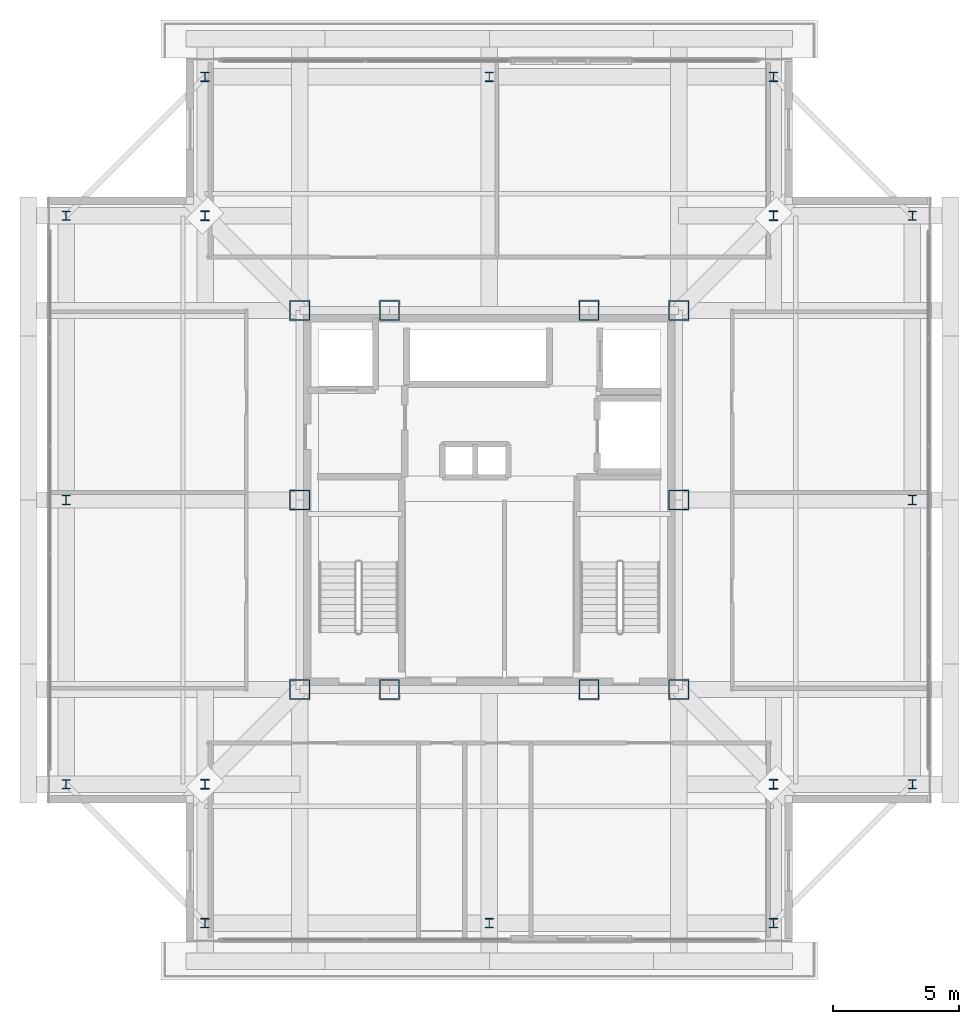
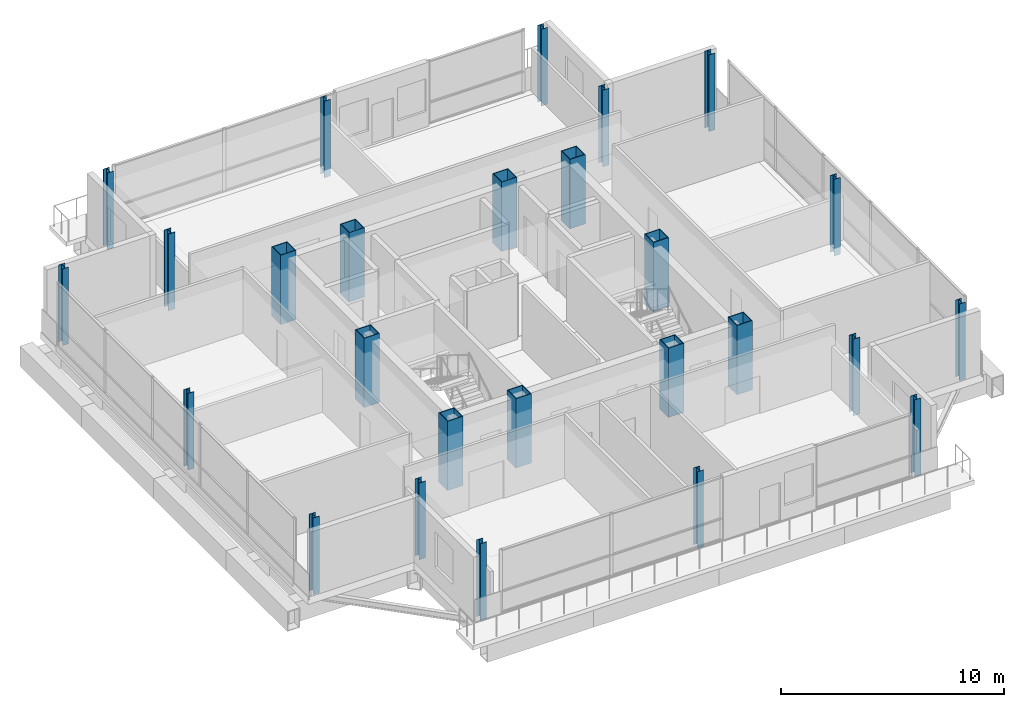
# One storey, part 1 of 15: 26 columns.
"""IFC4 building model written with IfcOpenShell, lengths in metres."""

from ifc_helpers import new_model, si_unit, direction, frame, origin, origin_2d, place, context, subcontext, project, spatial, hollow_rectangle, i_section, extrude, material, material_profile, profile_set, type_object, element, save


model = new_model("IFC4")

# Units and contexts
model_context = context("Model", 3, precision=1e-05, world=origin(), true_north=direction((0.0, 1.0)))
body_context = subcontext(model_context, "Body", "Model", "MODEL_VIEW")
ifc_project = project(units=[si_unit("LENGTHUNIT", "METRE"), si_unit("AREAUNIT", "SQUARE_METRE"), si_unit("VOLUMEUNIT", "CUBIC_METRE"), si_unit("PLANEANGLEUNIT", "RADIAN"), si_unit("MASSUNIT", "GRAM", prefix="KILO")], contexts=[model_context])

# Site, building, storey
site_placement = place(None, origin())
site = spatial("IfcSite", under=ifc_project, at=site_placement, CompositionType="ELEMENT")
building_placement = place(site_placement, origin())
building = spatial("IfcBuilding", under=site, at=building_placement, Name="Trevonay Congress Spire", CompositionType="ELEMENT")
storey_placement = place(building_placement, frame((0.0, 0.0, 300.800048828125)))
storey = spatial("IfcBuildingStorey", under=building, at=storey_placement, Name="L79", CompositionType="ELEMENT", Elevation=300.800048828125)

# Columns
ifc_material = material(Name="Steel ASTM A572 Grade 50", Category="steel")
ifc_material_profile_1 = material_profile(ifc_material, hollow_rectangle(XDim=0.800048828125, YDim=0.800048828125, WallThickness=0.0400390625, at=origin_2d()), Name="BOX 800x800x40")
ifc_profile_set_1 = profile_set([ifc_material_profile_1], Name="Steel ASTM A572 Grade 50")
column_type_1 = type_object("IfcColumnType", Name="COL-CORE-BOX800", PredefinedType="COLUMN", material=ifc_profile_set_1)
for number, where, z_axis, x_axis, name in (
    (1, (-7.5, -7.5, 0.0), (0.0, 0.0, 1.0), (1.0, 0.0, 0.0), "L79 column C05 at CC-SW"),
    (2, (-3.949951171875, -7.5, 0.0), (0.0, 0.0, 1.0), (1.0, 0.0, 0.0), "L79 column C05 at CC-SMW"),
    (3, (3.949951171875, -7.5, 0.0), (0.0, 0.0, 1.0), (1.0, 0.0, 0.0), "L79 column C05 at CC-SME"),
    (4, (7.5, -7.5, 0.0), (0.0, 0.0, 1.0), (1.0, 0.0, 0.0), "L79 column C05 at CC-SE"),
    (5, (7.5, 0.0, 0.0), (0.0, 0.0, 1.0), (1.0, 0.0, 0.0), "L79 column C05 at CC-E"),
    (6, (7.5, 7.5, 0.0), (0.0, 0.0, 1.0), (1.0, 0.0, 0.0), "L79 column C05 at CC-NE"),
    (7, (3.949951171875, 7.5, 0.0), (0.0, 0.0, 1.0), (1.0, 0.0, 0.0), "L79 column C05 at CC-NME"),
    (8, (-3.949951171875, 7.5, 0.0), (0.0, 0.0, 1.0), (1.0, 0.0, 0.0), "L79 column C05 at CC-NMW"),
    (9, (-7.5, 7.5, 0.0), (0.0, 0.0, 1.0), (1.0, 0.0, 0.0), "L79 column C05 at CC-NW"),
    (10, (-7.5, 0.0, 0.0), (0.0, 0.0, 1.0), (1.0, 0.0, 0.0), "L79 column C05 at CC-W"),
):
    element("IfcColumn", number, at=place(storey_placement, frame(where, z_axis=z_axis, x_axis=x_axis)), inside=storey, type_object=column_type_1, Name=name, PredefinedType="COLUMN", context=body_context, shape_type="SweptSolid", body=[
        extrude(hollow_rectangle(XDim=0.800048828125, YDim=0.800048828125, WallThickness=0.0400390625, at=origin_2d()), origin(), (0.0, 0.0, 1.0), 3.800048828125),
    ])
ifc_material_profile_2 = material_profile(ifc_material, i_section(OverallWidth=0.322021484375, OverallDepth=0.3720703125, WebThickness=0.014404296875, FlangeThickness=0.023681640625, FilletRadius=0.02001953125, at=origin_2d()), Name="W360x196")
ifc_profile_set_2 = profile_set([ifc_material_profile_2], Name="Steel ASTM A572 Grade 50")
column_type_2 = type_object("IfcColumnType", Name="COL-CROWN-W360X196", PredefinedType="COLUMN", material=ifc_profile_set_2)
for number, where, z_axis, x_axis, name in (
    (11, (-11.25, -16.75, -0.400146484375), (0.0, 0.0, 1.0), (1.0, 0.0, 0.0), "L79 column C18 at TS-1"),
    (12, (-11.25, 16.75, -0.400146484375), (0.0, 0.0, 1.0), (1.0, 0.0, 0.0), "L79 column C18 at TN-1"),
    (13, (-16.75, -11.25, -0.400146484375), (0.0, 0.0, 1.0), (1.0, 0.0, 0.0), "L79 column C18 at TW-1"),
    (14, (16.75, -11.25, -0.400146484375), (0.0, 0.0, 1.0), (1.0, 0.0, 0.0), "L79 column C18 at TE-1"),
    (15, (0.0, -16.75, -0.400146484375), (0.0, 0.0, 1.0), (1.0, 0.0, 0.0), "L79 column C18 at TS-2"),
    (16, (0.0, 16.75, -0.400146484375), (0.0, 0.0, 1.0), (1.0, 0.0, 0.0), "L79 column C18 at TN-2"),
    (17, (-16.75, 0.0, -0.400146484375), (0.0, 0.0, 1.0), (1.0, 0.0, 0.0), "L79 column C18 at TW-2"),
    (18, (16.75, 0.0, -0.400146484375), (0.0, 0.0, 1.0), (1.0, 0.0, 0.0), "L79 column C18 at TE-2"),
    (19, (11.25, -16.75, -0.400146484375), (0.0, 0.0, 1.0), (1.0, 0.0, 0.0), "L79 column C18 at TS-3"),
    (20, (11.25, 16.75, -0.400146484375), (0.0, 0.0, 1.0), (1.0, 0.0, 0.0), "L79 column C18 at TN-3"),
    (21, (-16.75, 11.25, -0.400146484375), (0.0, 0.0, 1.0), (1.0, 0.0, 0.0), "L79 column C18 at TW-3"),
    (22, (16.75, 11.25, -0.400146484375), (0.0, 0.0, 1.0), (1.0, 0.0, 0.0), "L79 column C18 at TE-3"),
):
    element("IfcColumn", number, at=place(storey_placement, frame(where, z_axis=z_axis, x_axis=x_axis)), inside=storey, type_object=column_type_2, Name=name, PredefinedType="COLUMN", context=body_context, shape_type="SweptSolid", body=[
        extrude(i_section(OverallWidth=0.322021484375, OverallDepth=0.3720703125, WebThickness=0.014404296875, FlangeThickness=0.023681640625, FilletRadius=0.02001953125, at=origin_2d()), origin(), (0.0, 0.0, 1.0), 4.2001953125),
    ])
ifc_material_profile_3 = material_profile(ifc_material, i_section(OverallWidth=0.340087890625, OverallDepth=0.39306640625, WebThickness=0.020263671875, FlangeThickness=0.033203125, FilletRadius=0.02001953125, at=origin_2d()), Name="W360x287")
ifc_profile_set_3 = profile_set([ifc_material_profile_3], Name="Steel ASTM A572 Grade 50")
column_type_3 = type_object("IfcColumnType", Name="COL-CROWN-W360X287", PredefinedType="COLUMN", material=ifc_profile_set_3)
for number, where, z_axis, x_axis, name in (
    (23, (-11.25, -11.25, -0.400146484375), (0.0, 0.0, 1.0), (1.0, 0.0, 0.0), "L79 column C20 at NC-SW"),
    (24, (11.25, -11.25, -0.400146484375), (0.0, 0.0, 1.0), (1.0, 0.0, 0.0), "L79 column C20 at NC-SE"),
    (25, (11.25, 11.25, -0.400146484375), (0.0, 0.0, 1.0), (1.0, 0.0, 0.0), "L79 column C20 at NC-NE"),
    (26, (-11.25, 11.25, -0.400146484375), (0.0, 0.0, 1.0), (1.0, 0.0, 0.0), "L79 column C20 at NC-NW"),
):
    element("IfcColumn", number, at=place(storey_placement, frame(where, z_axis=z_axis, x_axis=x_axis)), inside=storey, type_object=column_type_3, Name=name, PredefinedType="COLUMN", context=body_context, shape_type="SweptSolid", body=[
        extrude(i_section(OverallWidth=0.340087890625, OverallDepth=0.39306640625, WebThickness=0.020263671875, FlangeThickness=0.033203125, FilletRadius=0.02001953125, at=origin_2d()), origin(), (0.0, 0.0, 1.0), 4.2001953125),
    ])

save(model, "model.ifc")
